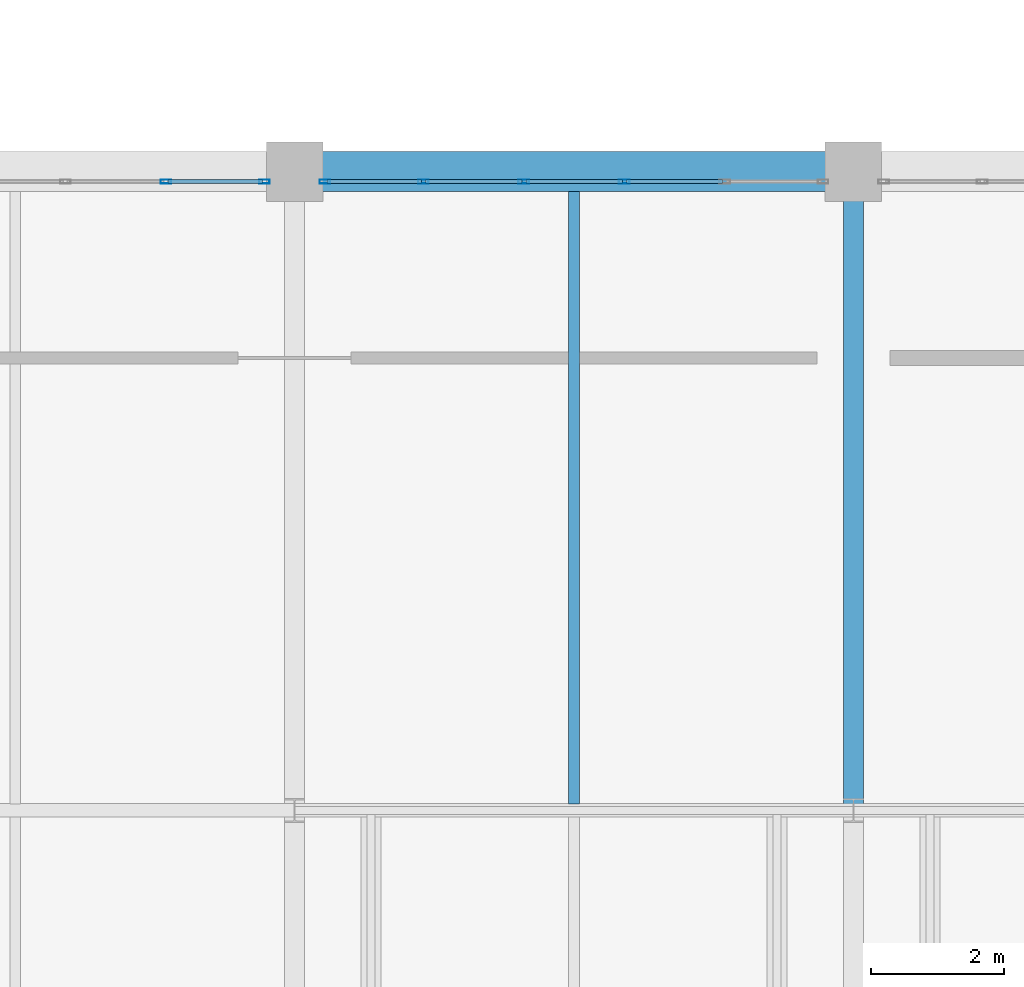
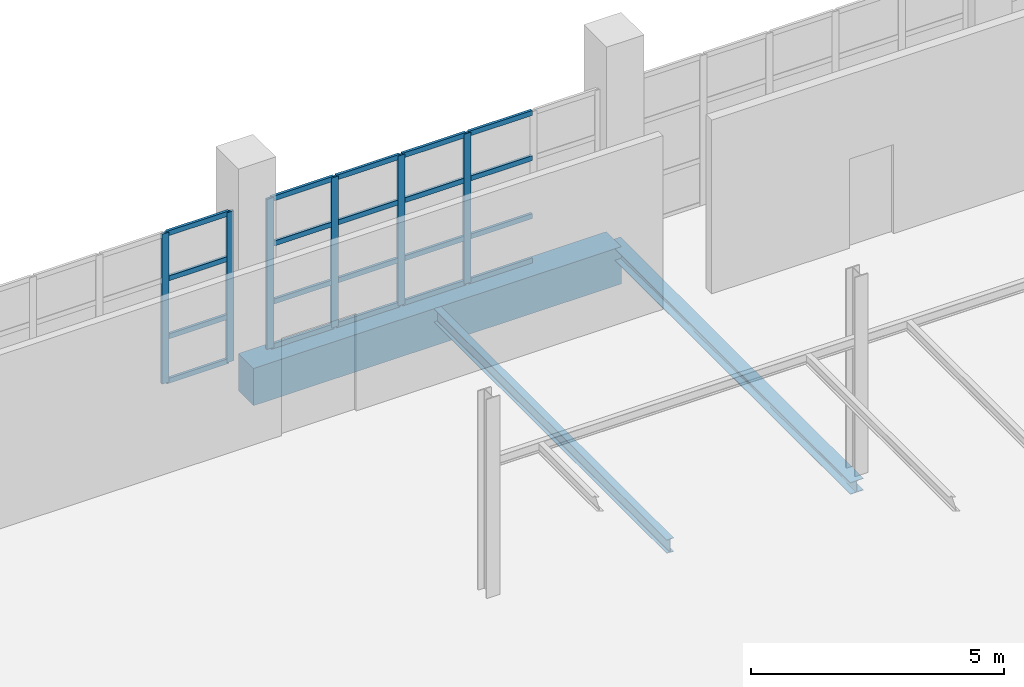
# One storey, part 13 of 29: 26 members, 3 beams, 2 elements without a shape of their own.
"""IFC4 building model written with IfcOpenShell, lengths in metres."""

from ifc_helpers import new_model, si_unit, direction, frame, origin, origin_2d, place, context, subcontext, project, spatial, rectangle, hollow_rectangle, i_section, extrude, material, material_profile, profile_set, type_object, element, aggregate, save


model = new_model("IFC4")

# Units and contexts
model_context = context("Model", 3, precision=1e-05, world=origin(), true_north=direction((0.0, 1.0)))
body_context = subcontext(model_context, "Body", "Model", "MODEL_VIEW")
ifc_project = project(units=[si_unit("LENGTHUNIT", "METRE"), si_unit("AREAUNIT", "SQUARE_METRE"), si_unit("VOLUMEUNIT", "CUBIC_METRE"), si_unit("PLANEANGLEUNIT", "RADIAN"), si_unit("MASSUNIT", "GRAM", prefix="KILO")], contexts=[model_context])

# Site, building, storey
site_placement = place(None, origin())
site = spatial("IfcSite", under=ifc_project, at=site_placement, CompositionType="ELEMENT")
building_placement = place(site_placement, origin())
building = spatial("IfcBuilding", under=site, at=building_placement, Name="Veltarok Museum of Natural Sciences", CompositionType="ELEMENT")
storey_placement = place(building_placement, frame((0.0, 0.0, 26.39990234375)))
storey = spatial("IfcBuildingStorey", under=building, at=storey_placement, Name="L05", CompositionType="ELEMENT", Elevation=26.39990234375)

# Curtain wall, members
ifc_material_1 = material(Name="Low-iron triple insulated glass", Category="glass")
curtain_wall_type = type_object("IfcCurtainWallType", Name="Curtain Wall System CW-V1N-L05-755x362 (V1 North Overlook L05 755x362cm)", PredefinedType="NOTDEFINED", material=ifc_material_1)
curtain_wall_1_placement = place(storey_placement, origin())
curtain_wall_1 = element("IfcCurtainWall", 1, at=curtain_wall_1_placement, inside=storey, type_object=curtain_wall_type, Name="Curtain Wall CW-V1N-L05-755x362 CW-0015", PredefinedType="NOTDEFINED")
ifc_material_2 = material(Name="Thermally broken anodised aluminium", Category="aluminium")
ifc_material_profile_1 = material_profile(ifc_material_2, hollow_rectangle(XDim=0.06005859375, YDim=0.1201171875, WallThickness=0.0048828125, at=origin_2d()), Name="CW TRANSOM 60x120x5")
ifc_profile_set_1 = profile_set([ifc_material_profile_1], Name="Thermally broken anodised aluminium")
member_type_1 = type_object("IfcMemberType", Name="Curtain Wall Horizontal Transom 60x120x5", PredefinedType="USERDEFINED", material=ifc_profile_set_1)
member_1_placement = place(storey_placement, frame((73.114990234375, 19.050048828125, 0.030029296875), z_axis=(-1.0, 0.0, 0.0), x_axis=(0.0, -1.0, 0.0)))
member_1 = element("IfcMember", 2, at=member_1_placement, type_object=member_type_1, Name="CW-V1N-L05-755x362 transom 1.1", ObjectType="TRANSOM", PredefinedType="USERDEFINED", context=body_context, shape_type="SweptSolid", body=[
    extrude(hollow_rectangle(XDim=0.06005859375, YDim=0.1201171875, WallThickness=0.0048828125, at=origin_2d()), origin(), (0.0, 0.0, 1.0), 1.419921875),
])
member_2_placement = place(storey_placement, frame((73.114990234375, 19.050048828125, 1.10009765625), z_axis=(-1.0, 0.0, 0.0), x_axis=(0.0, -1.0, 0.0)))
member_2 = element("IfcMember", 3, at=member_2_placement, type_object=member_type_1, Name="CW-V1N-L05-755x362 transom 1.2", ObjectType="TRANSOM", PredefinedType="USERDEFINED", context=body_context, shape_type="SweptSolid", body=[
    extrude(hollow_rectangle(XDim=0.06005859375, YDim=0.1201171875, WallThickness=0.0048828125, at=origin_2d()), origin(), (0.0, 0.0, 1.0), 1.419921875),
])
member_3_placement = place(storey_placement, frame((73.114990234375, 19.050048828125, 2.5), z_axis=(-1.0, 0.0, 0.0), x_axis=(0.0, -1.0, 0.0)))
member_3 = element("IfcMember", 4, at=member_3_placement, type_object=member_type_1, Name="CW-V1N-L05-755x362 transom 1.3", ObjectType="TRANSOM", PredefinedType="USERDEFINED", context=body_context, shape_type="SweptSolid", body=[
    extrude(hollow_rectangle(XDim=0.06005859375, YDim=0.1201171875, WallThickness=0.0048828125, at=origin_2d()), origin(), (0.0, 0.0, 1.0), 1.419921875),
])
member_4_placement = place(storey_placement, frame((73.114990234375, 19.050048828125, 3.590087890625), z_axis=(-1.0, 0.0, 0.0), x_axis=(0.0, -1.0, 0.0)))
member_4 = element("IfcMember", 5, at=member_4_placement, type_object=member_type_1, Name="CW-V1N-L05-755x362 transom 1.4", ObjectType="TRANSOM", PredefinedType="USERDEFINED", context=body_context, shape_type="SweptSolid", body=[
    extrude(hollow_rectangle(XDim=0.06005859375, YDim=0.1201171875, WallThickness=0.0048828125, at=origin_2d()), origin(), (0.0, 0.0, 1.0), 1.419921875),
])

curtain_wall_2_placement = place(storey_placement, origin())
curtain_wall_2 = element("IfcCurtainWall", 6, at=curtain_wall_2_placement, inside=storey, type_object=curtain_wall_type, Name="Curtain Wall CW-V1N-L05-755x362 CW-0016", PredefinedType="NOTDEFINED")
member_5_placement = place(storey_placement, frame((80.034912109375, 19.050048828125, 0.030029296875), z_axis=(-1.0, 0.0, 0.0), x_axis=(0.0, -1.0, 0.0)))
member_5 = element("IfcMember", 7, at=member_5_placement, type_object=member_type_1, Name="CW-V1N-L05-755x362 transom 2.1", ObjectType="TRANSOM", PredefinedType="USERDEFINED", context=body_context, shape_type="SweptSolid", body=[
    extrude(hollow_rectangle(XDim=0.06005859375, YDim=0.1201171875, WallThickness=0.0048828125, at=origin_2d()), origin(), (0.0, 0.0, 1.0), 1.449951171875),
])
member_6_placement = place(storey_placement, frame((80.034912109375, 19.050048828125, 1.10009765625), z_axis=(-1.0, 0.0, 0.0), x_axis=(0.0, -1.0, 0.0)))
member_6 = element("IfcMember", 8, at=member_6_placement, type_object=member_type_1, Name="CW-V1N-L05-755x362 transom 2.2", ObjectType="TRANSOM", PredefinedType="USERDEFINED", context=body_context, shape_type="SweptSolid", body=[
    extrude(hollow_rectangle(XDim=0.06005859375, YDim=0.1201171875, WallThickness=0.0048828125, at=origin_2d()), origin(), (0.0, 0.0, 1.0), 1.449951171875),
])
member_7_placement = place(storey_placement, frame((80.034912109375, 19.050048828125, 2.5), z_axis=(-1.0, 0.0, 0.0), x_axis=(0.0, -1.0, 0.0)))
member_7 = element("IfcMember", 9, at=member_7_placement, type_object=member_type_1, Name="CW-V1N-L05-755x362 transom 2.3", ObjectType="TRANSOM", PredefinedType="USERDEFINED", context=body_context, shape_type="SweptSolid", body=[
    extrude(hollow_rectangle(XDim=0.06005859375, YDim=0.1201171875, WallThickness=0.0048828125, at=origin_2d()), origin(), (0.0, 0.0, 1.0), 1.449951171875),
])
member_8_placement = place(storey_placement, frame((80.034912109375, 19.050048828125, 3.590087890625), z_axis=(-1.0, 0.0, 0.0), x_axis=(0.0, -1.0, 0.0)))
member_8 = element("IfcMember", 10, at=member_8_placement, type_object=member_type_1, Name="CW-V1N-L05-755x362 transom 2.4", ObjectType="TRANSOM", PredefinedType="USERDEFINED", context=body_context, shape_type="SweptSolid", body=[
    extrude(hollow_rectangle(XDim=0.06005859375, YDim=0.1201171875, WallThickness=0.0048828125, at=origin_2d()), origin(), (0.0, 0.0, 1.0), 1.449951171875),
])
member_9_placement = place(storey_placement, frame((78.52490234375, 19.050048828125, 0.030029296875), z_axis=(-1.0, 0.0, 0.0), x_axis=(0.0, -1.0, 0.0)))
member_9 = element("IfcMember", 11, at=member_9_placement, type_object=member_type_1, Name="CW-V1N-L05-755x362 transom 3.1", ObjectType="TRANSOM", PredefinedType="USERDEFINED", context=body_context, shape_type="SweptSolid", body=[
    extrude(hollow_rectangle(XDim=0.06005859375, YDim=0.1201171875, WallThickness=0.0048828125, at=origin_2d()), origin(), (0.0, 0.0, 1.0), 1.449951171875),
])
member_10_placement = place(storey_placement, frame((78.52490234375, 19.050048828125, 1.10009765625), z_axis=(-1.0, 0.0, 0.0), x_axis=(0.0, -1.0, 0.0)))
member_10 = element("IfcMember", 12, at=member_10_placement, type_object=member_type_1, Name="CW-V1N-L05-755x362 transom 3.2", ObjectType="TRANSOM", PredefinedType="USERDEFINED", context=body_context, shape_type="SweptSolid", body=[
    extrude(hollow_rectangle(XDim=0.06005859375, YDim=0.1201171875, WallThickness=0.0048828125, at=origin_2d()), origin(), (0.0, 0.0, 1.0), 1.449951171875),
])
member_11_placement = place(storey_placement, frame((78.52490234375, 19.050048828125, 2.5), z_axis=(-1.0, 0.0, 0.0), x_axis=(0.0, -1.0, 0.0)))
member_11 = element("IfcMember", 13, at=member_11_placement, type_object=member_type_1, Name="CW-V1N-L05-755x362 transom 3.3", ObjectType="TRANSOM", PredefinedType="USERDEFINED", context=body_context, shape_type="SweptSolid", body=[
    extrude(hollow_rectangle(XDim=0.06005859375, YDim=0.1201171875, WallThickness=0.0048828125, at=origin_2d()), origin(), (0.0, 0.0, 1.0), 1.449951171875),
])
member_12_placement = place(storey_placement, frame((78.52490234375, 19.050048828125, 3.590087890625), z_axis=(-1.0, 0.0, 0.0), x_axis=(0.0, -1.0, 0.0)))
member_12 = element("IfcMember", 14, at=member_12_placement, type_object=member_type_1, Name="CW-V1N-L05-755x362 transom 3.4", ObjectType="TRANSOM", PredefinedType="USERDEFINED", context=body_context, shape_type="SweptSolid", body=[
    extrude(hollow_rectangle(XDim=0.06005859375, YDim=0.1201171875, WallThickness=0.0048828125, at=origin_2d()), origin(), (0.0, 0.0, 1.0), 1.449951171875),
])
member_13_placement = place(storey_placement, frame((77.014892578125, 19.050048828125, 0.030029296875), z_axis=(-1.0, 0.0, 0.0), x_axis=(0.0, -1.0, 0.0)))
member_13 = element("IfcMember", 15, at=member_13_placement, type_object=member_type_1, Name="CW-V1N-L05-755x362 transom 4.1", ObjectType="TRANSOM", PredefinedType="USERDEFINED", context=body_context, shape_type="SweptSolid", body=[
    extrude(hollow_rectangle(XDim=0.06005859375, YDim=0.1201171875, WallThickness=0.0048828125, at=origin_2d()), origin(), (0.0, 0.0, 1.0), 1.449951171875),
])
member_14_placement = place(storey_placement, frame((77.014892578125, 19.050048828125, 1.10009765625), z_axis=(-1.0, 0.0, 0.0), x_axis=(0.0, -1.0, 0.0)))
member_14 = element("IfcMember", 16, at=member_14_placement, type_object=member_type_1, Name="CW-V1N-L05-755x362 transom 4.2", ObjectType="TRANSOM", PredefinedType="USERDEFINED", context=body_context, shape_type="SweptSolid", body=[
    extrude(hollow_rectangle(XDim=0.06005859375, YDim=0.1201171875, WallThickness=0.0048828125, at=origin_2d()), origin(), (0.0, 0.0, 1.0), 1.449951171875),
])
member_15_placement = place(storey_placement, frame((77.014892578125, 19.050048828125, 2.5), z_axis=(-1.0, 0.0, 0.0), x_axis=(0.0, -1.0, 0.0)))
member_15 = element("IfcMember", 17, at=member_15_placement, type_object=member_type_1, Name="CW-V1N-L05-755x362 transom 4.3", ObjectType="TRANSOM", PredefinedType="USERDEFINED", context=body_context, shape_type="SweptSolid", body=[
    extrude(hollow_rectangle(XDim=0.06005859375, YDim=0.1201171875, WallThickness=0.0048828125, at=origin_2d()), origin(), (0.0, 0.0, 1.0), 1.449951171875),
])
member_16_placement = place(storey_placement, frame((77.014892578125, 19.050048828125, 3.590087890625), z_axis=(-1.0, 0.0, 0.0), x_axis=(0.0, -1.0, 0.0)))
member_16 = element("IfcMember", 18, at=member_16_placement, type_object=member_type_1, Name="CW-V1N-L05-755x362 transom 4.4", ObjectType="TRANSOM", PredefinedType="USERDEFINED", context=body_context, shape_type="SweptSolid", body=[
    extrude(hollow_rectangle(XDim=0.06005859375, YDim=0.1201171875, WallThickness=0.0048828125, at=origin_2d()), origin(), (0.0, 0.0, 1.0), 1.449951171875),
])
member_17_placement = place(storey_placement, frame((75.5048828125, 19.050048828125, 0.030029296875), z_axis=(-1.0, 0.0, 0.0), x_axis=(0.0, -1.0, 0.0)))
member_17 = element("IfcMember", 19, at=member_17_placement, type_object=member_type_1, Name="CW-V1N-L05-755x362 transom 5.1", ObjectType="TRANSOM", PredefinedType="USERDEFINED", context=body_context, shape_type="SweptSolid", body=[
    extrude(hollow_rectangle(XDim=0.06005859375, YDim=0.1201171875, WallThickness=0.0048828125, at=origin_2d()), origin(), (0.0, 0.0, 1.0), 1.419921875),
])
member_18_placement = place(storey_placement, frame((75.5048828125, 19.050048828125, 1.10009765625), z_axis=(-1.0, 0.0, 0.0), x_axis=(0.0, -1.0, 0.0)))
member_18 = element("IfcMember", 20, at=member_18_placement, type_object=member_type_1, Name="CW-V1N-L05-755x362 transom 5.2", ObjectType="TRANSOM", PredefinedType="USERDEFINED", context=body_context, shape_type="SweptSolid", body=[
    extrude(hollow_rectangle(XDim=0.06005859375, YDim=0.1201171875, WallThickness=0.0048828125, at=origin_2d()), origin(), (0.0, 0.0, 1.0), 1.419921875),
])
member_19_placement = place(storey_placement, frame((75.5048828125, 19.050048828125, 2.5), z_axis=(-1.0, 0.0, 0.0), x_axis=(0.0, -1.0, 0.0)))
member_19 = element("IfcMember", 21, at=member_19_placement, type_object=member_type_1, Name="CW-V1N-L05-755x362 transom 5.3", ObjectType="TRANSOM", PredefinedType="USERDEFINED", context=body_context, shape_type="SweptSolid", body=[
    extrude(hollow_rectangle(XDim=0.06005859375, YDim=0.1201171875, WallThickness=0.0048828125, at=origin_2d()), origin(), (0.0, 0.0, 1.0), 1.419921875),
])
member_20_placement = place(storey_placement, frame((75.5048828125, 19.050048828125, 3.590087890625), z_axis=(-1.0, 0.0, 0.0), x_axis=(0.0, -1.0, 0.0)))
member_20 = element("IfcMember", 22, at=member_20_placement, type_object=member_type_1, Name="CW-V1N-L05-755x362 transom 5.4", ObjectType="TRANSOM", PredefinedType="USERDEFINED", context=body_context, shape_type="SweptSolid", body=[
    extrude(hollow_rectangle(XDim=0.06005859375, YDim=0.1201171875, WallThickness=0.0048828125, at=origin_2d()), origin(), (0.0, 0.0, 1.0), 1.419921875),
])

# Member
ifc_material_profile_2 = material_profile(ifc_material_2, hollow_rectangle(XDim=0.06005859375, YDim=0.159912109375, WallThickness=0.0048828125, at=origin_2d()), Name="CW MULLION 60x160x5")
ifc_profile_set_2 = profile_set([ifc_material_profile_2], Name="Thermally broken anodised aluminium")
member_type_2 = type_object("IfcMemberType", Name="Curtain Wall Vertical Mullion 60x160x5", PredefinedType="MULLION", material=ifc_profile_set_2)
member_21_placement = place(storey_placement, frame((73.14501953125, 19.050048828125, 0.0), z_axis=(0.0, 0.0, 1.0), x_axis=(0.0, -1.0, 0.0)))
member_21 = element("IfcMember", 23, at=member_21_placement, type_object=member_type_2, Name="CW-V1N-L05-755x362 mullion 1", PredefinedType="MULLION", context=body_context, shape_type="SweptSolid", body=[
    extrude(hollow_rectangle(XDim=0.06005859375, YDim=0.159912109375, WallThickness=0.0048828125, at=origin_2d()), origin(), (0.0, 0.0, 1.0), 3.6201171875),
])

member_22_placement = place(storey_placement, frame((71.6650390625, 19.050048828125, 0.0), z_axis=(0.0, 0.0, 1.0), x_axis=(0.0, -1.0, 0.0)))
member_22 = element("IfcMember", 24, at=member_22_placement, type_object=member_type_2, Name="CW-V1N-L05-755x362 mullion 2", PredefinedType="MULLION", context=body_context, shape_type="SweptSolid", body=[
    extrude(hollow_rectangle(XDim=0.06005859375, YDim=0.159912109375, WallThickness=0.0048828125, at=origin_2d()), origin(), (0.0, 0.0, 1.0), 3.6201171875),
])

aggregate(curtain_wall_1, [member_21, member_22, member_1, member_2, member_3, member_4])

member_23_placement = place(storey_placement, frame((78.554931640625, 19.050048828125, 0.0), z_axis=(0.0, 0.0, 1.0), x_axis=(0.0, -1.0, 0.0)))
member_23 = element("IfcMember", 25, at=member_23_placement, type_object=member_type_2, Name="CW-V1N-L05-755x362 mullion 3", PredefinedType="MULLION", context=body_context, shape_type="SweptSolid", body=[
    extrude(hollow_rectangle(XDim=0.06005859375, YDim=0.159912109375, WallThickness=0.0048828125, at=origin_2d()), origin(), (0.0, 0.0, 1.0), 3.6201171875),
])

member_24_placement = place(storey_placement, frame((77.044921875, 19.050048828125, 0.0), z_axis=(0.0, 0.0, 1.0), x_axis=(0.0, -1.0, 0.0)))
member_24 = element("IfcMember", 26, at=member_24_placement, type_object=member_type_2, Name="CW-V1N-L05-755x362 mullion 4", PredefinedType="MULLION", context=body_context, shape_type="SweptSolid", body=[
    extrude(hollow_rectangle(XDim=0.06005859375, YDim=0.159912109375, WallThickness=0.0048828125, at=origin_2d()), origin(), (0.0, 0.0, 1.0), 3.6201171875),
])

member_25_placement = place(storey_placement, frame((75.534912109375, 19.050048828125, 0.0), z_axis=(0.0, 0.0, 1.0), x_axis=(0.0, -1.0, 0.0)))
member_25 = element("IfcMember", 27, at=member_25_placement, type_object=member_type_2, Name="CW-V1N-L05-755x362 mullion 5", PredefinedType="MULLION", context=body_context, shape_type="SweptSolid", body=[
    extrude(hollow_rectangle(XDim=0.06005859375, YDim=0.159912109375, WallThickness=0.0048828125, at=origin_2d()), origin(), (0.0, 0.0, 1.0), 3.6201171875),
])

member_26_placement = place(storey_placement, frame((74.054931640625, 19.050048828125, 0.0), z_axis=(0.0, 0.0, 1.0), x_axis=(0.0, -1.0, 0.0)))
member_26 = element("IfcMember", 28, at=member_26_placement, type_object=member_type_2, Name="CW-V1N-L05-755x362 mullion 6", PredefinedType="MULLION", context=body_context, shape_type="SweptSolid", body=[
    extrude(hollow_rectangle(XDim=0.06005859375, YDim=0.159912109375, WallThickness=0.0048828125, at=origin_2d()), origin(), (0.0, 0.0, 1.0), 3.6201171875),
])

aggregate(curtain_wall_2, [member_23, member_24, member_25, member_26, member_5, member_6, member_7, member_8, member_9, member_10, member_11, member_12, member_13, member_14, member_15, member_16, member_17, member_18, member_19, member_20])

# Beams
ifc_material_3 = material(Name="Concrete C40/50", Category="concrete")
ifc_material_profile_3 = material_profile(ifc_material_3, rectangle(XDim=0.60009765625, YDim=0.89990234375, at=origin_2d()), Name="RC 600x900")
ifc_profile_set_3 = profile_set([ifc_material_profile_3], Name="Concrete C40/50")
beam_type_1 = type_object("IfcBeamType", Name="Exposed Cabinet Perimeter Spandrel RC 600x900", PredefinedType="SPANDREL", material=ifc_profile_set_3)
beam_1_placement = place(storey_placement, frame((73.60009765625, 19.199951171875, -0.699951171875), z_axis=(1.0, 0.0, 0.0), x_axis=(0.0, 1.0, 0.0)))
element("IfcBeam", 29, at=beam_1_placement, inside=storey, type_object=beam_type_1, Name="Beam BM-SP01 L05 9-10/C", PredefinedType="SPANDREL", context=body_context, shape_type="SweptSolid", body=[
    extrude(rectangle(XDim=0.60009765625, YDim=0.89990234375, at=origin_2d()), origin(), (0.0, 0.0, 1.0), 8.39990234375),
])
ifc_material_4 = material(Name="Steel S355J2", Category="steel")
ifc_material_profile_4 = material_profile(ifc_material_4, i_section(OverallWidth=0.300048828125, OverallDepth=0.2900390625, WebThickness=0.008544921875, FlangeThickness=0.013916015625, FilletRadius=0.027099609375, at=origin_2d()), Name="HEA 300")
ifc_profile_set_4 = profile_set([ifc_material_profile_4], Name="Steel S355J2")
beam_type_2 = type_object("IfcBeamType", Name="Glazed Hall Edge Spandrel HEA 300", PredefinedType="SPANDREL", material=ifc_profile_set_4)
beam_2_placement = place(storey_placement, frame((82.0, 9.60009765625, -0.39501953125), z_axis=(0.0, 1.0, 0.0), x_axis=(-1.0, 0.0, 0.0)))
element("IfcBeam", 30, at=beam_2_placement, inside=storey, type_object=beam_type_2, Name="Beam BM-SP03 L05 10/B-C", PredefinedType="SPANDREL", context=body_context, shape_type="SweptSolid", body=[
    extrude(i_section(OverallWidth=0.300048828125, OverallDepth=0.2900390625, WebThickness=0.008544921875, FlangeThickness=0.013916015625, FilletRadius=0.027099609375, at=origin_2d()), origin(), (0.0, 0.0, 1.0), 9.599853515625),
])
ifc_material_profile_5 = material_profile(ifc_material_4, i_section(OverallWidth=0.159912109375, OverallDepth=0.330078125, WebThickness=0.007568359375, FlangeThickness=0.011474609375, FilletRadius=0.01806640625, at=origin_2d()), Name="IPE 330")
ifc_profile_set_5 = profile_set([ifc_material_profile_5], Name="Steel S355J2")
beam_type_3 = type_object("IfcBeamType", Name="Medium-Bay Composite Joist IPE 330", PredefinedType="JOIST", material=ifc_profile_set_5)
beam_3_placement = place(storey_placement, frame((77.800048828125, 9.697998046875, -0.414794921875), z_axis=(0.0, 1.0, 0.0), x_axis=(-1.0, 0.0, 0.0)))
element("IfcBeam", 31, at=beam_3_placement, inside=storey, type_object=beam_type_3, Name="Secondary Joist BM-J02 L05 9-10/B-C.1", PredefinedType="JOIST", context=body_context, shape_type="SweptSolid", body=[
    extrude(i_section(OverallWidth=0.159912109375, OverallDepth=0.330078125, WebThickness=0.007568359375, FlangeThickness=0.011474609375, FilletRadius=0.01806640625, at=origin_2d()), origin(), (0.0, 0.0, 1.0), 9.2041015625),
])

save(model, "model.ifc")
